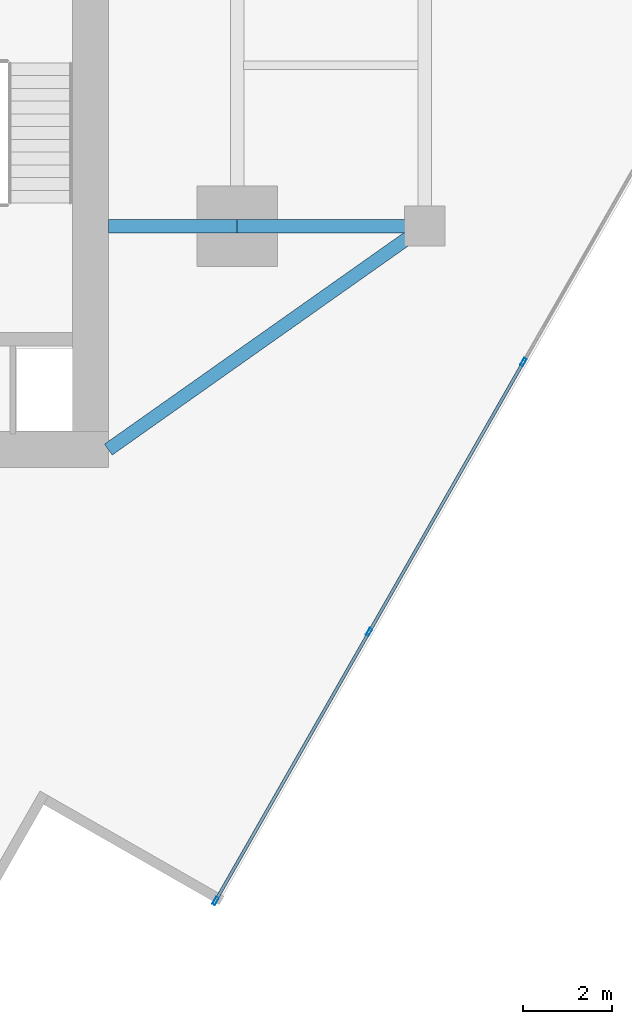
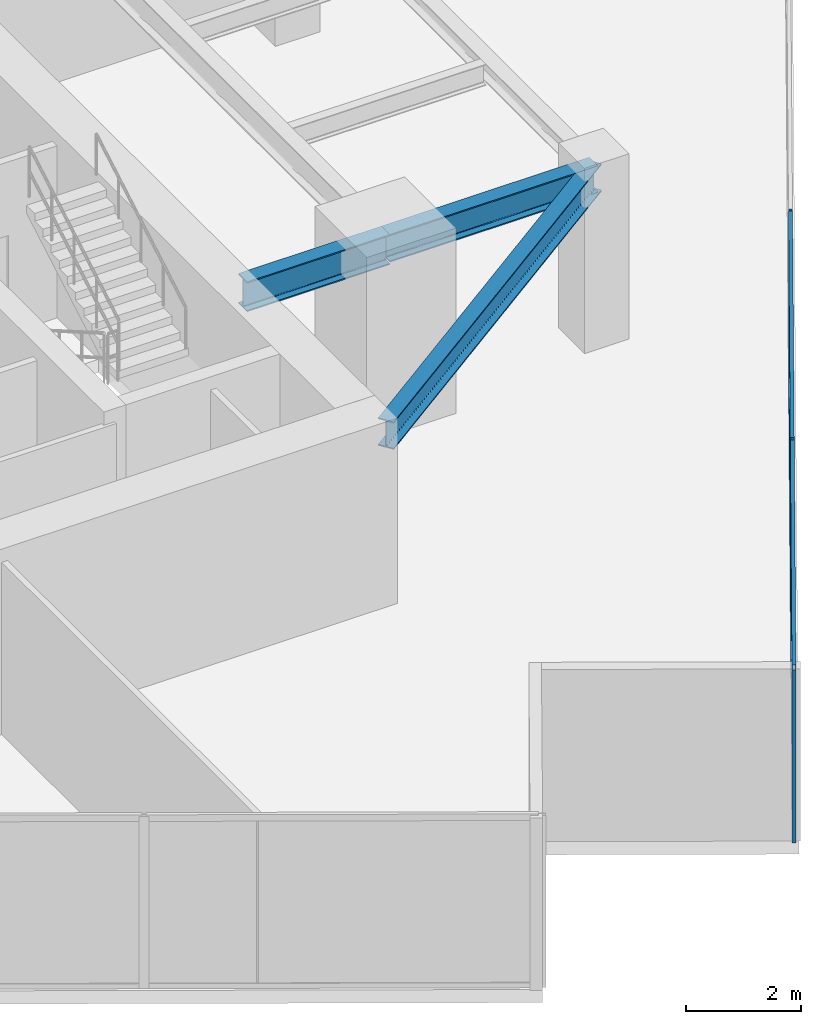
# One storey, part 9 of 24: 7 members, 3 beams, 1 element without a shape of its own.
"""IFC4 building model written with IfcOpenShell, lengths in metres."""

from ifc_helpers import new_model, si_unit, direction, frame, origin, origin_2d, place, context, subcontext, project, spatial, hollow_rectangle, i_section, extrude, source, transform, mapped, material, material_profile, profile_set, type_object, type_shapes, element, aggregate, save


model = new_model("IFC4")

# Units and contexts
model_context = context("Model", 3, precision=1e-05, world=origin(), true_north=direction((0.0, 1.0)))
body_context = subcontext(model_context, "Body", "Model", "MODEL_VIEW")
ifc_project = project(units=[si_unit("LENGTHUNIT", "METRE"), si_unit("AREAUNIT", "SQUARE_METRE"), si_unit("VOLUMEUNIT", "CUBIC_METRE"), si_unit("PLANEANGLEUNIT", "RADIAN"), si_unit("MASSUNIT", "GRAM", prefix="KILO")], contexts=[model_context])

# Site, building, storey
site_placement = place(None, origin())
site = spatial("IfcSite", under=ifc_project, at=site_placement, CompositionType="ELEMENT")
building_placement = place(site_placement, origin())
building = spatial("IfcBuilding", under=site, at=building_placement, Name="Krantzveldt Concourse Tower", CompositionType="ELEMENT")
storey_placement = place(building_placement, frame((0.0, 0.0, 165.949951171875)))
storey = spatial("IfcBuildingStorey", under=building, at=storey_placement, Name="L40", CompositionType="ELEMENT", Elevation=165.949951171875)

# Beams
ifc_material_1 = material(Name="Steel S355JR", Category="steel")
ifc_material_profile_1 = material_profile(ifc_material_1, i_section(OverallWidth=0.300048828125, OverallDepth=0.590087890625, WebThickness=0.012939453125, FlangeThickness=0.02490234375, FilletRadius=0.027099609375, at=origin_2d()), Name="Steel S355JR", Category="steel")
ifc_profile_set_1 = profile_set([ifc_material_profile_1], Name="Steel S355JR - HEA 600")
beam_type_1 = type_object("IfcBeamType", Name="BM-B-HEA600", PredefinedType="BEAM", material=ifc_profile_set_1)
shared_shape_1 = source(origin(), body_context, "Body", "SweptSolid", [
    extrude(i_section(OverallWidth=0.300048828125, OverallDepth=0.590087890625, WebThickness=0.012939453125, FlangeThickness=0.02490234375, FilletRadius=0.027099609375, at=origin_2d()), origin(), (0.0, 0.0, 1.0), 4.199951171875),
])
beam_1_placement = place(storey_placement, frame((46.800048828125, 15.89990234375, 3.375), z_axis=(1.0, 0.0, 0.0), x_axis=(0.0, 1.0, 0.0)))
element("IfcBeam", 1, at=beam_1_placement, inside=storey, type_object=beam_type_1, Name="L40 Tower Girder BR-RR1", PredefinedType="BEAM", context=body_context, shape_type="MappedRepresentation", body=[
    mapped(shared_shape_1, transform((0.0, 0.0, 0.0), x_axis=(1.0, 0.0, 0.0), y_axis=(0.0, 1.0, 0.0), z_axis=(0.0, 0.0, 1.0), scale=1.0)),
])
shared_shape_2 = source(origin(), body_context, "Body", "SweptSolid", [
    extrude(i_section(OverallWidth=0.300048828125, OverallDepth=0.590087890625, WebThickness=0.012939453125, FlangeThickness=0.02490234375, FilletRadius=0.027099609375, at=origin_2d()), origin(), (0.0, 0.0, 1.0), 8.667724609375),
])
type_shapes(beam_type_1, [shared_shape_1, shared_shape_2])
beam_2_placement = place(storey_placement, frame((51.0, 15.89990234375, 3.375), z_axis=(-0.81684294656, -0.576860122261, 0.0), x_axis=(0.576860122261, -0.81684294656, 0.0)))
element("IfcBeam", 2, at=beam_2_placement, inside=storey, type_object=beam_type_1, Name="L40 Tower Girder BR-CSE", PredefinedType="BEAM", context=body_context, shape_type="MappedRepresentation", body=[
    mapped(shared_shape_2, transform((0.0, 0.0, 0.0), x_axis=(1.0, 0.0, 0.0), y_axis=(0.0, 1.0, 0.0), z_axis=(0.0, 0.0, 1.0), scale=1.0)),
])
ifc_material_profile_2 = material_profile(ifc_material_1, i_section(OverallWidth=0.300048828125, OverallDepth=0.639892578125, WebThickness=0.013427734375, FlangeThickness=0.02587890625, FilletRadius=0.027099609375, at=origin_2d()), Name="Steel S355JR", Category="steel")
ifc_profile_set_2 = profile_set([ifc_material_profile_2], Name="Steel S355JR - HEA 650")
beam_type_2 = type_object("IfcBeamType", Name="BM-B-HEA650", PredefinedType="BEAM", material=ifc_profile_set_2)
shared_shape_3 = source(origin(), body_context, "Body", "SweptSolid", [
    extrude(i_section(OverallWidth=0.300048828125, OverallDepth=0.639892578125, WebThickness=0.013427734375, FlangeThickness=0.02587890625, FilletRadius=0.027099609375, at=origin_2d()), origin(), (0.0, 0.0, 1.0), 2.880126953125),
])
type_shapes(beam_type_2, [shared_shape_3])
beam_3_placement = place(storey_placement, frame((43.919921875, 15.89990234375, 3.35009765625), z_axis=(1.0, 0.0, 0.0), x_axis=(0.0, 1.0, 0.0)))
element("IfcBeam", 3, at=beam_3_placement, inside=storey, type_object=beam_type_2, Name="L40 Tower Girder BG-CE1", PredefinedType="BEAM", context=body_context, shape_type="MappedRepresentation", body=[
    mapped(shared_shape_3, transform((0.0, 0.0, 0.0), x_axis=(1.0, 0.0, 0.0), y_axis=(0.0, 1.0, 0.0), z_axis=(0.0, 0.0, 1.0), scale=1.0)),
])

# Curtain wall, members
ifc_material_2 = material(Name="Anodised aluminium 6063-T6", Category="aluminium")
curtain_wall_type = type_object("IfcCurtainWallType", Name="CW3", PredefinedType="USERDEFINED", material=ifc_material_2)
curtain_wall_placement = place(storey_placement, origin())
curtain_wall = element("IfcCurtainWall", 4, at=curtain_wall_placement, inside=storey, type_object=curtain_wall_type, Name="CW-L40-F11", ObjectType="UNITISED CURTAIN WALL", PredefinedType="USERDEFINED")
ifc_material_profile_3 = material_profile(ifc_material_2, hollow_rectangle(XDim=0.070068359375, YDim=0.179931640625, WallThickness=0.0048828125, at=origin_2d()), Name="Anodised aluminium 6063-T6", Category="aluminium")
ifc_profile_set_3 = profile_set([ifc_material_profile_3], Name="Anodised aluminium 6063-T6 - ALU-MULL 180x70x5")
member_type_1 = type_object("IfcMemberType", Name="CW-MUL-180", PredefinedType="MULLION", material=ifc_profile_set_3)
shared_shape_4 = source(origin(), body_context, "Body", "SweptSolid", [
    extrude(hollow_rectangle(XDim=0.070068359375, YDim=0.179931640625, WallThickness=0.0048828125, at=origin_2d()), origin(), (0.0, 0.0, 1.0), 3.670166015625),
])
type_shapes(member_type_1, [shared_shape_4])
member_1_placement = place(storey_placement, frame((46.318603515625, 0.80126953125, 0.0), z_axis=(0.0, 0.0, 1.0), x_axis=(-0.868198876949, 0.496216394392, 0.0)))
member_1 = element("IfcMember", 5, at=member_1_placement, type_object=member_type_1, Name="CW-Z34 mullion 1", PredefinedType="MULLION", context=body_context, shape_type="MappedRepresentation", body=[
    mapped(shared_shape_4, transform((0.0, 0.0, 0.0), x_axis=(1.0, 0.0, 0.0), y_axis=(0.0, 1.0, 0.0), z_axis=(0.0, 0.0, 1.0), scale=1.0)),
])
member_2_placement = place(storey_placement, frame((49.7548828125, 6.8134765625, 0.0), z_axis=(0.0, 0.0, 1.0), x_axis=(-0.868198876949, 0.496216394392, 0.0)))
member_2 = element("IfcMember", 6, at=member_2_placement, type_object=member_type_1, Name="CW-Z34 mullion 2", PredefinedType="MULLION", context=body_context, shape_type="MappedRepresentation", body=[
    mapped(shared_shape_4, transform((0.0, 0.0, 0.0), x_axis=(1.0, 0.0, 0.0), y_axis=(0.0, 1.0, 0.0), z_axis=(0.0, 0.0, 1.0), scale=1.0)),
])
member_3_placement = place(storey_placement, frame((53.20849609375, 12.856201171875, 0.0), z_axis=(0.0, 0.0, 1.0), x_axis=(-0.868198876949, 0.496216394392, 0.0)))
member_3 = element("IfcMember", 7, at=member_3_placement, type_object=member_type_1, Name="CW-Z34 mullion 3", PredefinedType="MULLION", context=body_context, shape_type="MappedRepresentation", body=[
    mapped(shared_shape_4, transform((0.0, 0.0, 0.0), x_axis=(1.0, 0.0, 0.0), y_axis=(0.0, 1.0, 0.0), z_axis=(0.0, 0.0, 1.0), scale=1.0)),
])
ifc_material_profile_4 = material_profile(ifc_material_2, hollow_rectangle(XDim=0.070068359375, YDim=0.139892578125, WallThickness=0.0048828125, at=origin_2d()), Name="Anodised aluminium 6063-T6", Category="aluminium")
ifc_profile_set_4 = profile_set([ifc_material_profile_4], Name="Anodised aluminium 6063-T6 - ALU-TRAN 140x70x5")
member_type_2 = type_object("IfcMemberType", Name="CW-TRN-150", PredefinedType="USERDEFINED", material=ifc_profile_set_4)
shared_shape_5 = source(origin(), body_context, "Body", "SweptSolid", [
    extrude(hollow_rectangle(XDim=0.070068359375, YDim=0.139892578125, WallThickness=0.0048828125, at=origin_2d()), origin(), (0.0, 0.0, 1.0), 6.889892578125),
])
member_4_placement = place(storey_placement, frame((49.772216796875, 6.843994140625, 0.03515625), z_axis=(0.496230521218, 0.868190802653, 0.0), x_axis=(-0.868190802653, 0.496230521218, 0.0)))
member_4 = element("IfcMember", 8, at=member_4_placement, type_object=member_type_2, Name="CW-Z34 transom 2.1", ObjectType="TRANSOM", PredefinedType="USERDEFINED", context=body_context, shape_type="MappedRepresentation", body=[
    mapped(shared_shape_5, transform((0.0, 0.0, 0.0), x_axis=(1.0, 0.0, 0.0), y_axis=(0.0, 1.0, 0.0), z_axis=(0.0, 0.0, 1.0), scale=1.0)),
])
member_5_placement = place(storey_placement, frame((49.772216796875, 6.843994140625, 3.635009765625), z_axis=(0.496230521218, 0.868190802653, 0.0), x_axis=(-0.868190802653, 0.496230521218, 0.0)))
member_5 = element("IfcMember", 9, at=member_5_placement, type_object=member_type_2, Name="CW-Z34 transom 2.2", ObjectType="TRANSOM", PredefinedType="USERDEFINED", context=body_context, shape_type="MappedRepresentation", body=[
    mapped(shared_shape_5, transform((0.0, 0.0, 0.0), x_axis=(1.0, 0.0, 0.0), y_axis=(0.0, 1.0, 0.0), z_axis=(0.0, 0.0, 1.0), scale=1.0)),
])
shared_shape_6 = source(origin(), body_context, "Body", "SweptSolid", [
    extrude(hollow_rectangle(XDim=0.070068359375, YDim=0.139892578125, WallThickness=0.0048828125, at=origin_2d()), origin(), (0.0, 0.0, 1.0), 6.855224609375),
])
type_shapes(member_type_2, [shared_shape_5, shared_shape_6])
member_6_placement = place(storey_placement, frame((46.3359375, 0.83154296875, 0.03515625), z_axis=(0.496211808618, 0.868201497918, 0.0), x_axis=(-0.868201497918, 0.496211808618, 0.0)))
member_6 = element("IfcMember", 10, at=member_6_placement, type_object=member_type_2, Name="CW-Z34 transom 1.1", ObjectType="TRANSOM", PredefinedType="USERDEFINED", context=body_context, shape_type="MappedRepresentation", body=[
    mapped(shared_shape_6, transform((0.0, 0.0, 0.0), x_axis=(1.0, 0.0, 0.0), y_axis=(0.0, 1.0, 0.0), z_axis=(0.0, 0.0, 1.0), scale=1.0)),
])
member_7_placement = place(storey_placement, frame((46.3359375, 0.83154296875, 3.635009765625), z_axis=(0.496211808618, 0.868201497918, 0.0), x_axis=(-0.868201497918, 0.496211808618, 0.0)))
member_7 = element("IfcMember", 11, at=member_7_placement, type_object=member_type_2, Name="CW-Z34 transom 1.2", ObjectType="TRANSOM", PredefinedType="USERDEFINED", context=body_context, shape_type="MappedRepresentation", body=[
    mapped(shared_shape_6, transform((0.0, 0.0, 0.0), x_axis=(1.0, 0.0, 0.0), y_axis=(0.0, 1.0, 0.0), z_axis=(0.0, 0.0, 1.0), scale=1.0)),
])
aggregate(curtain_wall, [member_1, member_2, member_3, member_6, member_7, member_4, member_5])

save(model, "model.ifc")
